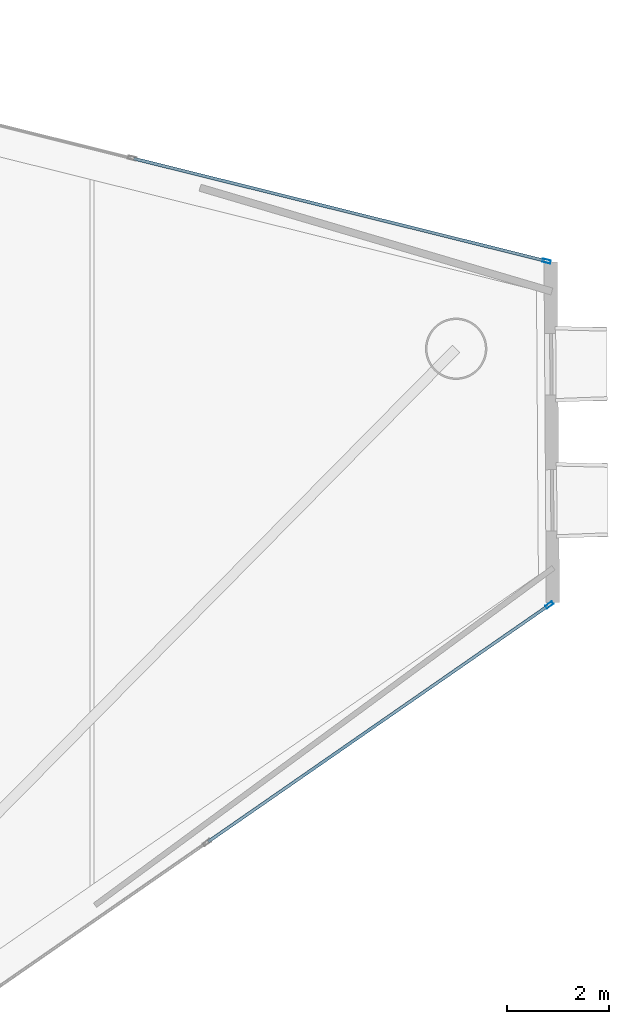
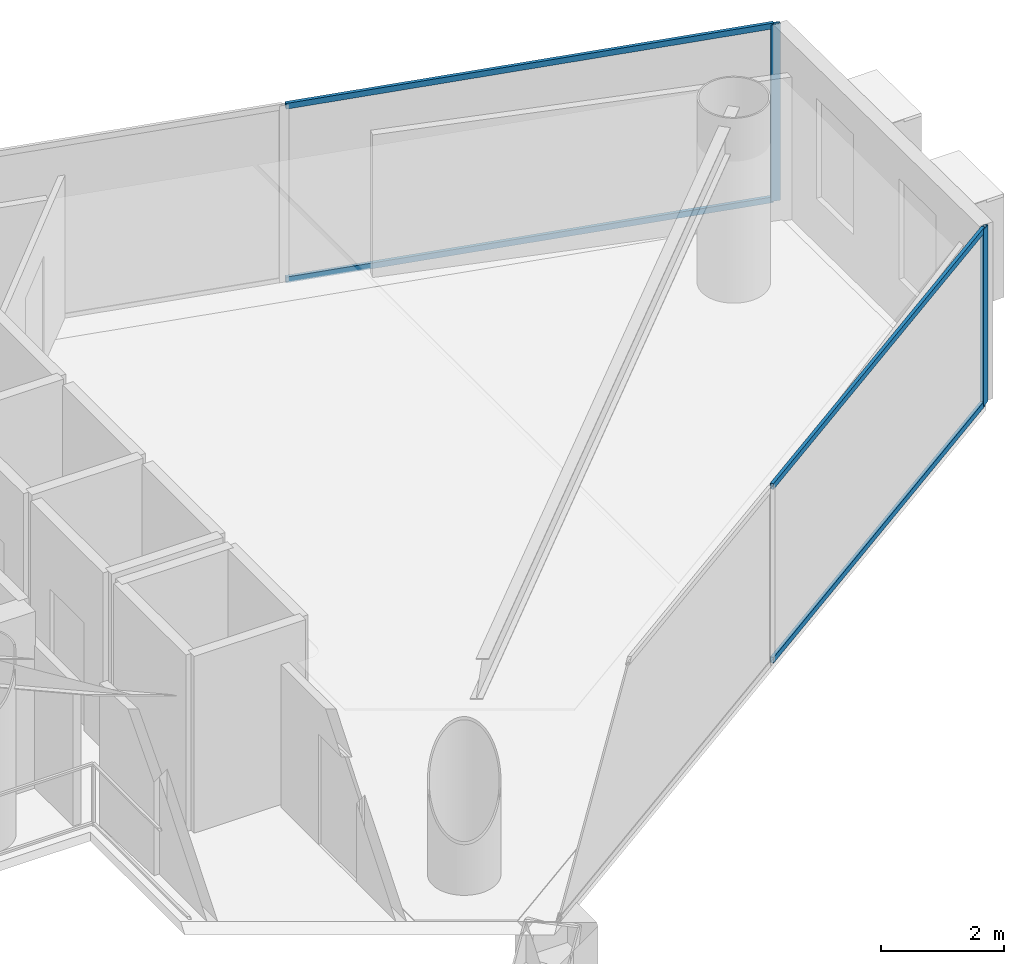
# One storey, part 16 of 23: 6 members, 2 elements without a shape of their own.
"""IFC4 building model written with IfcOpenShell, lengths in metres."""

from ifc_helpers import new_model, si_unit, direction, frame, origin, origin_2d, place, context, subcontext, project, spatial, hollow_rectangle, extrude, material, layer, layer_set, material_profile, profile_set, type_object, element, aggregate, save


model = new_model("IFC4")

# Units and contexts
model_context = context("Model", 3, precision=1e-05, world=origin(), true_north=direction((0.0, 1.0)))
body_context = subcontext(model_context, "Body", "Model", "MODEL_VIEW")
ifc_project = project(units=[si_unit("LENGTHUNIT", "METRE"), si_unit("AREAUNIT", "SQUARE_METRE"), si_unit("VOLUMEUNIT", "CUBIC_METRE"), si_unit("PLANEANGLEUNIT", "RADIAN"), si_unit("MASSUNIT", "GRAM", prefix="KILO")], contexts=[model_context])

# Site, building, storey
site_placement = place(None, origin())
site = spatial("IfcSite", under=ifc_project, at=site_placement, CompositionType="ELEMENT")
building_placement = place(site_placement, origin())
building = spatial("IfcBuilding", under=site, at=building_placement, Name="Qianvela Tower", CompositionType="ELEMENT")
storey_placement = place(building_placement, frame((0.0, 0.0, 192.89990234375)))
storey = spatial("IfcBuildingStorey", under=building, at=storey_placement, Name="L49", CompositionType="ELEMENT", Elevation=192.89990234375)

# Curtain wall, member
ifc_material_1 = material(Name="Anodised Architectural Aluminium and Low-E Glass", Category="aluminium")
ifc_layer = layer(ifc_material_1, 0.159912109375)
ifc_layer_set = layer_set([ifc_layer], Name="Anodised Architectural Aluminium and Low-E Glass")
curtain_wall_type = type_object("IfcCurtainWallType", Name="CW-COLIV-Z56", PredefinedType="USERDEFINED", material=ifc_layer_set)
curtain_wall_1_placement = place(storey_placement, origin())
curtain_wall_1 = element("IfcCurtainWall", 1, at=curtain_wall_1_placement, inside=storey, type_object=curtain_wall_type, Name="L49 CW-COLIV-Z56 Curtain Wall 02A", ObjectType="CURTAIN_WALL_SYSTEM", PredefinedType="USERDEFINED")
ifc_material_2 = material(Name="Anodised Architectural Aluminium 6063-T6", Category="aluminium")
ifc_material_profile_1 = material_profile(ifc_material_2, hollow_rectangle(XDim=0.06494140625, YDim=0.159912109375, WallThickness=0.0048828125, at=origin_2d()), Name="ALU-MULL-65x160")
ifc_profile_set_1 = profile_set([ifc_material_profile_1], Name="Anodised Architectural Aluminium 6063-T6")
member_type_1 = type_object("IfcMemberType", Name="CW-COLIV-Z56-MULL", PredefinedType="MULLION", material=ifc_profile_set_1)
member_1_placement = place(storey_placement, frame((58.663818359375, 32.982421875, 0.0), z_axis=(0.0, 0.0, 1.0), x_axis=(-0.241122199386, -0.970494762976, 0.0)))
member_1 = element("IfcMember", 2, at=member_1_placement, type_object=member_type_1, Name="CW-5 mullion 1", PredefinedType="MULLION", context=body_context, shape_type="SweptSolid", body=[
    extrude(hollow_rectangle(XDim=0.06494140625, YDim=0.159912109375, WallThickness=0.0048828125, at=origin_2d()), origin(), (0.0, 0.0, 1.0), 3.52001953125),
])

curtain_wall_2_placement = place(storey_placement, origin())
curtain_wall_2 = element("IfcCurtainWall", 3, at=curtain_wall_2_placement, inside=storey, type_object=curtain_wall_type, Name="L49 CW-COLIV-Z56 Curtain Wall 06B", ObjectType="CURTAIN_WALL_SYSTEM", PredefinedType="USERDEFINED")
member_2_placement = place(storey_placement, frame((58.7197265625, 26.263671875, 0.0), z_axis=(0.0, 0.0, 1.0), x_axis=(-0.570039357353, 0.821617387273, 0.0)))
member_2 = element("IfcMember", 4, at=member_2_placement, type_object=member_type_1, Name="CW-5 mullion 3", PredefinedType="MULLION", context=body_context, shape_type="SweptSolid", body=[
    extrude(hollow_rectangle(XDim=0.06494140625, YDim=0.159912109375, WallThickness=0.0048828125, at=origin_2d()), origin(), (0.0, 0.0, 1.0), 3.52001953125),
])

# Member
ifc_material_3 = material(Name="Anodised Architectural Aluminium 6063-T6", Category="aluminium")
ifc_material_profile_2 = material_profile(ifc_material_3, hollow_rectangle(XDim=0.06005859375, YDim=0.114990234375, WallThickness=0.00390625, at=origin_2d()), Name="ALU-TRAN-60x115")
ifc_profile_set_2 = profile_set([ifc_material_profile_2], Name="Anodised Architectural Aluminium 6063-T6")
member_type_2 = type_object("IfcMemberType", Name="CW-COLIV-Z56-TRAN", PredefinedType="USERDEFINED", material=ifc_profile_set_2)
member_3_placement = place(storey_placement, frame((58.63232421875, 32.990234375, 0.030029296875), z_axis=(-0.970497118897, 0.241112716821, 0.0), x_axis=(-0.241112716821, -0.970497118897, 0.0)))
member_3 = element("IfcMember", 5, at=member_3_placement, type_object=member_type_2, Name="CW-5 transom 1.1", ObjectType="TRANSOM", PredefinedType="USERDEFINED", context=body_context, shape_type="SweptSolid", body=[
    extrude(hollow_rectangle(XDim=0.06005859375, YDim=0.114990234375, WallThickness=0.00390625, at=origin_2d()), origin(), (0.0, 0.0, 1.0), 8.277587890625),
])

member_4_placement = place(storey_placement, frame((58.63232421875, 32.990234375, 3.489990234375), z_axis=(-0.970497118897, 0.241112716821, 0.0), x_axis=(-0.241112716821, -0.970497118897, 0.0)))
member_4 = element("IfcMember", 6, at=member_4_placement, type_object=member_type_2, Name="CW-5 transom 1.2", ObjectType="TRANSOM", PredefinedType="USERDEFINED", context=body_context, shape_type="SweptSolid", body=[
    extrude(hollow_rectangle(XDim=0.06005859375, YDim=0.114990234375, WallThickness=0.00390625, at=origin_2d()), origin(), (0.0, 0.0, 1.0), 8.277587890625),
])

aggregate(curtain_wall_1, [member_1, member_3, member_4])

member_5_placement = place(storey_placement, frame((52.052978515625, 21.63818359375, 0.030029296875), z_axis=(0.821617565389, 0.570039100628, 0.0), x_axis=(-0.570039100628, 0.821617565389, 0.0)))
member_5 = element("IfcMember", 7, at=member_5_placement, type_object=member_type_2, Name="CW-5 transom 2.1", ObjectType="TRANSOM", PredefinedType="USERDEFINED", context=body_context, shape_type="SweptSolid", body=[
    extrude(hollow_rectangle(XDim=0.06005859375, YDim=0.114990234375, WallThickness=0.00390625, at=origin_2d()), origin(), (0.0, 0.0, 1.0), 8.081787109375),
])

member_6_placement = place(storey_placement, frame((52.052978515625, 21.63818359375, 3.489990234375), z_axis=(0.821617565389, 0.570039100628, 0.0), x_axis=(-0.570039100628, 0.821617565389, 0.0)))
member_6 = element("IfcMember", 8, at=member_6_placement, type_object=member_type_2, Name="CW-5 transom 2.2", ObjectType="TRANSOM", PredefinedType="USERDEFINED", context=body_context, shape_type="SweptSolid", body=[
    extrude(hollow_rectangle(XDim=0.06005859375, YDim=0.114990234375, WallThickness=0.00390625, at=origin_2d()), origin(), (0.0, 0.0, 1.0), 8.081787109375),
])

aggregate(curtain_wall_2, [member_2, member_5, member_6])

save(model, "model.ifc")
